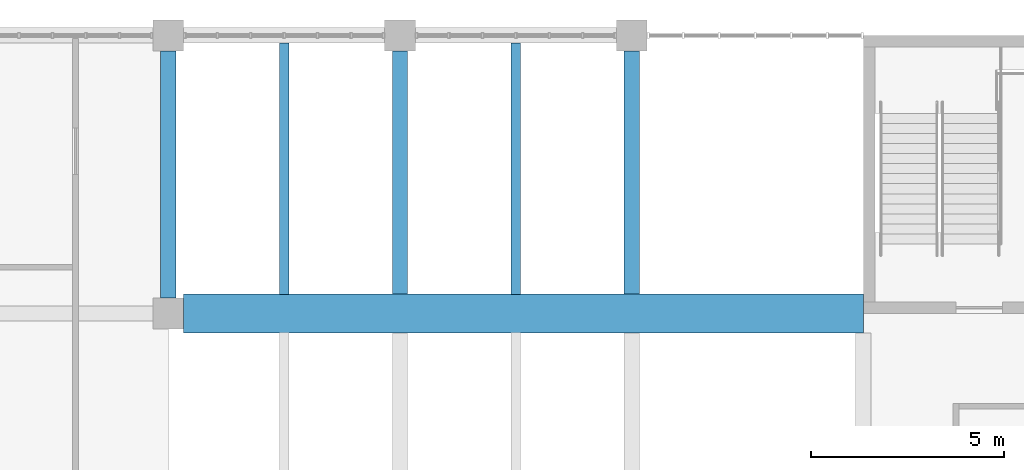
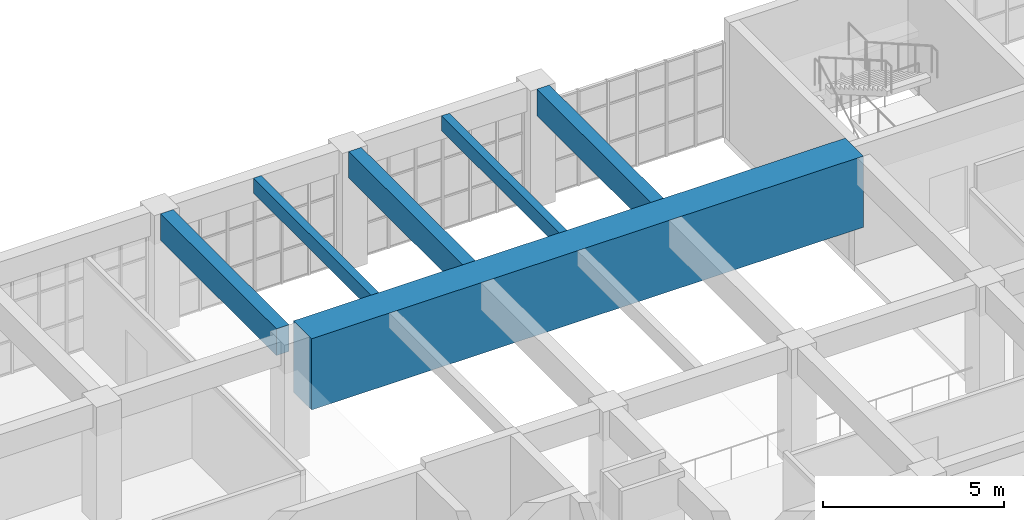
# One storey, part 19 of 47: 6 beams.
"""IFC4 building model written with IfcOpenShell, lengths in metres."""

from ifc_helpers import new_model, si_unit, direction, frame, origin, origin_2d, place, context, subcontext, project, spatial, rectangle, extrude, material, material_profile, profile_set, type_object, element, save


model = new_model("IFC4")

# Units and contexts
model_context = context("Model", 3, precision=1e-05, world=origin(), true_north=direction((0.0, 1.0)))
body_context = subcontext(model_context, "Body", "Model", "MODEL_VIEW")
ifc_project = project(units=[si_unit("LENGTHUNIT", "METRE"), si_unit("AREAUNIT", "SQUARE_METRE"), si_unit("VOLUMEUNIT", "CUBIC_METRE"), si_unit("PLANEANGLEUNIT", "RADIAN"), si_unit("MASSUNIT", "GRAM", prefix="KILO")], contexts=[model_context])

# Site, building, storey
site_placement = place(None, origin())
site = spatial("IfcSite", under=ifc_project, at=site_placement, CompositionType="ELEMENT")
building_placement = place(site_placement, origin())
building = spatial("IfcBuilding", under=site, at=building_placement, Name="Laocheng Heights Fire and Rescue Headquarters", CompositionType="ELEMENT")
storey_placement = place(building_placement, frame((0.0, 0.0, 16.800048828125)))
storey = spatial("IfcBuildingStorey", under=building, at=storey_placement, Name="L04", CompositionType="ELEMENT", Elevation=16.800048828125)

# Beams
ifc_material_1 = material(Name="Concrete C60", Category="concrete")
ifc_material_profile_1 = material_profile(ifc_material_1, rectangle(XDim=1.0, YDim=2.39990234375, at=origin_2d()), Name="RC BEAM 1000x2400 TRANSFER GIRDER HQ")
ifc_profile_set_1 = profile_set([ifc_material_profile_1], Name="Concrete C60")
beam_type_1 = type_object("IfcBeamType", Name="RC BEAM 1000x2400 TRANSFER GIRDER HQ", PredefinedType="BEAM", material=ifc_profile_set_1)
beam_1_placement = place(storey_placement, frame((48.39990234375, 64.800048828125, 2.800048828125), z_axis=(1.0, 0.0, 0.0), x_axis=(0.0, 1.0, 0.0)))
element("IfcBeam", 1, at=beam_1_placement, inside=storey, type_object=beam_type_1, Name="Transfer girder TG-H1", PredefinedType="BEAM", context=body_context, shape_type="SweptSolid", body=[
    extrude(rectangle(XDim=1.0, YDim=2.39990234375, at=origin_2d()), origin(), (0.0, 0.0, 1.0), 17.60009765625),
])
ifc_material_2 = material(Name="Concrete C40", Category="concrete")
ifc_material_profile_2 = material_profile(ifc_material_2, rectangle(XDim=0.25, YDim=0.5, at=origin_2d()), Name="RC BEAM 250x500 CONTROL ROOM JOIST")
ifc_profile_set_2 = profile_set([ifc_material_profile_2], Name="Concrete C40")
beam_type_2 = type_object("IfcBeamType", Name="RC BEAM 250x500 CONTROL ROOM JOIST", PredefinedType="BEAM", material=ifc_profile_set_2)
for number, where, z_axis, x_axis, name in (
    (2, (51.0, 65.294921875, 3.75), (0.0, 1.0, 0.0), (-1.0, 0.0, 0.0), "Control room joist"),
    (3, (57.0, 65.294921875, 3.75), (0.0, 1.0, 0.0), (-1.0, 0.0, 0.0), "Control room joist"),
):
    element("IfcBeam", number, at=place(storey_placement, frame(where, z_axis=z_axis, x_axis=x_axis)), inside=storey, type_object=beam_type_2, Name=name, PredefinedType="BEAM", context=body_context, shape_type="SweptSolid", body=[
        extrude(rectangle(XDim=0.25, YDim=0.5, at=origin_2d()), origin(), (0.0, 0.0, 1.0), 6.510009765625),
    ])
ifc_material_3 = material(Name="Concrete C40", Category="concrete")
ifc_material_profile_3 = material_profile(ifc_material_3, rectangle(XDim=0.39990234375, YDim=0.89990234375, at=origin_2d()), Name="RC BEAM 400x900 HQ")
ifc_profile_set_3 = profile_set([ifc_material_profile_3], Name="Concrete C40")
beam_type_3 = type_object("IfcBeamType", Name="RC BEAM 400x900 HQ", PredefinedType="BEAM", material=ifc_profile_set_3)
beam_2_placement = place(storey_placement, frame((48.0, 65.199951171875, 3.550048828125), z_axis=(0.0, 1.0, 0.0), x_axis=(-1.0, 0.0, 0.0)))
element("IfcBeam", 4, at=beam_2_placement, inside=storey, type_object=beam_type_3, Name="HQ beam L04", PredefinedType="BEAM", context=body_context, shape_type="SweptSolid", body=[
    extrude(rectangle(XDim=0.39990234375, YDim=0.89990234375, at=origin_2d()), origin(), (0.0, 0.0, 1.0), 6.400146484375),
])
for number, where, z_axis, x_axis, name in (
    (5, (54.0, 65.300048828125, 3.550048828125), (0.0, 1.0, 0.0), (-1.0, 0.0, 0.0), "HQ beam L04"),
    (6, (60.0, 65.300048828125, 3.550048828125), (0.0, 1.0, 0.0), (-1.0, 0.0, 0.0), "HQ beam L04"),
):
    element("IfcBeam", number, at=place(storey_placement, frame(where, z_axis=z_axis, x_axis=x_axis)), inside=storey, type_object=beam_type_3, Name=name, PredefinedType="BEAM", context=body_context, shape_type="SweptSolid", body=[
        extrude(rectangle(XDim=0.39990234375, YDim=0.89990234375, at=origin_2d()), origin(), (0.0, 0.0, 1.0), 6.300048828125),
    ])

save(model, "model.ifc")
